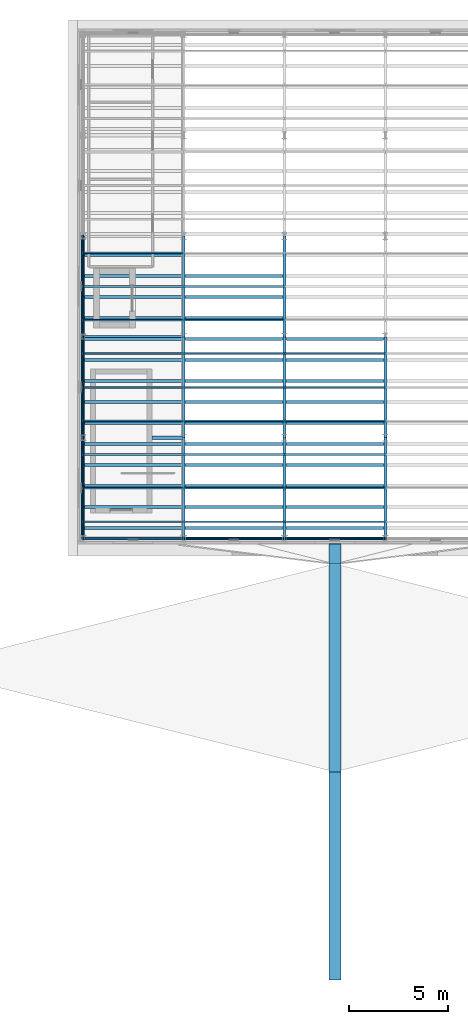
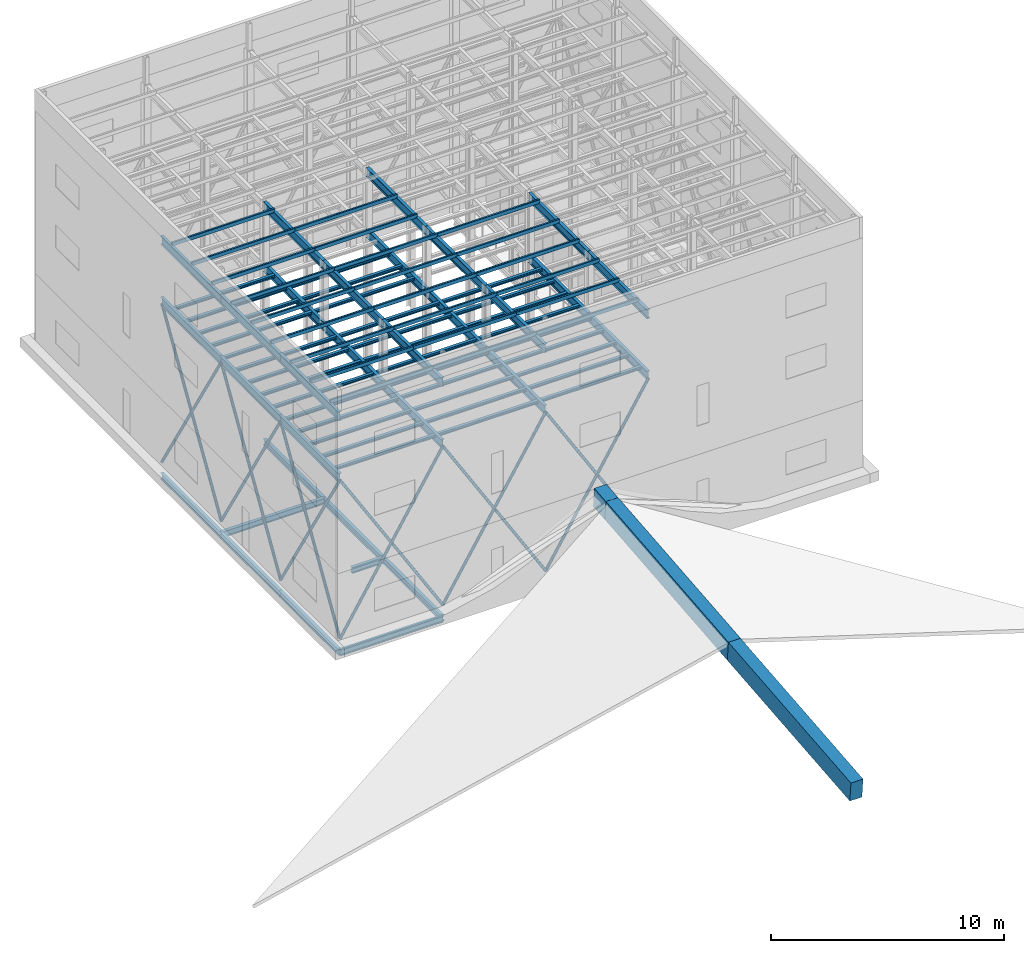
# One storey, part 3 of 22: 71 beams, 41 members.
"""IFC4 building model written with IfcOpenShell, lengths in metres."""

from ifc_helpers import new_model, si_unit, direction, frame, origin, origin_2d, place, context, subcontext, project, spatial, rectangle, hollow_rectangle, hollow_circle, i_section, extrude, material, material_profile, profile_set, type_object, element, save


model = new_model("IFC4")

# Units and contexts
model_context = context("Model", 3, precision=1e-05, world=origin(), true_north=direction((0.0, 1.0)))
body_context = subcontext(model_context, "Body", "Model", "MODEL_VIEW")
ifc_project = project(units=[si_unit("LENGTHUNIT", "METRE"), si_unit("AREAUNIT", "SQUARE_METRE"), si_unit("VOLUMEUNIT", "CUBIC_METRE"), si_unit("PLANEANGLEUNIT", "RADIAN"), si_unit("MASSUNIT", "GRAM", prefix="KILO")], contexts=[model_context])

# Site, building, storey
site_placement = place(None, origin())
site = spatial("IfcSite", under=ifc_project, at=site_placement, CompositionType="ELEMENT")
building_placement = place(site_placement, origin())
building = spatial("IfcBuilding", under=site, at=building_placement, Name="Tide Square Theatres", CompositionType="ELEMENT")
storey_placement = place(building_placement, frame((0.0, 0.0, 24.0)))
storey = spatial("IfcBuildingStorey", under=building, at=storey_placement, Name="L05", CompositionType="ELEMENT", Elevation=24.0)

# Beams
ifc_material_1 = material(Name="Concrete C40", Category="concrete")
ifc_material_profile_1 = material_profile(ifc_material_1, rectangle(XDim=0.60009765625, YDim=1.0, at=origin_2d()))
ifc_profile_set_1 = profile_set([ifc_material_profile_1], Name="Concrete C40")
beam_type_1 = type_object("IfcBeamType", Name="RC roof rib and ridge 600 x 1000", PredefinedType="BEAM", material=ifc_profile_set_1)
for number, where, z_axis, x_axis, name in (
    (1, (84.0, 34.04052734375, 1.46044921875), (0.0, 0.995518012141, 0.094572128577), (-1.0, 0.0, 0.0), "Ridge beam main"),
    (2, (84.0, 44.5439453125, 2.45849609375), (0.0, 0.995515833315, 0.094595061285), (-1.0, 0.0, 0.0), "Ridge beam main"),
):
    element("IfcBeam", number, at=place(storey_placement, frame(where, z_axis=z_axis, x_axis=x_axis)), inside=storey, type_object=beam_type_1, Name=name, PredefinedType="BEAM", context=body_context, shape_type="SweptSolid", body=[
        extrude(rectangle(XDim=0.60009765625, YDim=1.0, at=origin_2d()), origin(), (0.0, 0.0, 1.0), 10.55078125),
    ])
beam_1_placement = place(storey_placement, frame((84.0, 55.04736328125, 3.4482421875), z_axis=(0.0, 0.995520561602, 0.094545287711), x_axis=(-1.0, 0.0, 0.0)))
element("IfcBeam", 3, at=beam_1_placement, inside=storey, type_object=beam_type_1, Name="Ridge beam main", PredefinedType="BEAM", context=body_context, shape_type="SweptSolid", body=[
    extrude(rectangle(XDim=0.60009765625, YDim=1.0, at=origin_2d()), origin(), (0.0, 0.0, 1.0), 1.00439453125),
])
ifc_material_2 = material(Name="Steel ASTM A572 Grade 50", Category="steel")
ifc_material_profile_2 = material_profile(ifc_material_2, i_section(OverallWidth=0.1650390625, OverallDepth=0.31005859375, WebThickness=0.005859375, FlangeThickness=0.009765625, FilletRadius=0.010009765625, at=origin_2d()))
ifc_profile_set_2 = profile_set([ifc_material_profile_2], Name="Steel ASTM A572 Grade 50")
beam_type_2 = type_object("IfcBeamType", Name="Steel beam W 310 x 38.7", PredefinedType="BEAM", material=ifc_profile_set_2)
for number, where, z_axis, x_axis, name in (
    (4, (71.27587890625, 56.27587890625, -0.35498046875), (0.0, 1.0, 0.0), (-1.0, 0.0, 0.0), "Fly gallery beam"),
    (5, (71.27587890625, 61.365478515625, -0.35498046875), (0.0, 1.0, 0.0), (-1.0, 0.0, 0.0), "Fly gallery beam"),
):
    element("IfcBeam", number, at=place(storey_placement, frame(where, z_axis=z_axis, x_axis=x_axis)), inside=storey, type_object=beam_type_2, Name=name, PredefinedType="BEAM", context=body_context, shape_type="SweptSolid", body=[
        extrude(i_section(OverallWidth=0.1650390625, OverallDepth=0.31005859375, WebThickness=0.005859375, FlangeThickness=0.009765625, FilletRadius=0.010009765625, at=origin_2d()), origin(), (0.0, 0.0, 1.0), 5.089599609375),
    ])
beam_2_placement = place(storey_placement, frame((71.27587890625, 66.455078125, -0.35498046875), z_axis=(0.0, 1.0, 0.0), x_axis=(-1.0, 0.0, 0.0)))
element("IfcBeam", 6, at=beam_2_placement, inside=storey, type_object=beam_type_2, Name="Fly gallery beam", PredefinedType="BEAM", context=body_context, shape_type="SweptSolid", body=[
    extrude(i_section(OverallWidth=0.1650390625, OverallDepth=0.31005859375, WebThickness=0.005859375, FlangeThickness=0.009765625, FilletRadius=0.010009765625, at=origin_2d()), origin(), (0.0, 0.0, 1.0), 5.08984375),
])
for number, where, z_axis, x_axis, name in (
    (7, (76.365478515625, 56.27587890625, -0.35498046875), (0.0, 1.0, 0.0), (-1.0, 0.0, 0.0), "Fly gallery beam"),
    (8, (76.365478515625, 61.365478515625, -0.35498046875), (0.0, 1.0, 0.0), (-1.0, 0.0, 0.0), "Fly gallery beam"),
):
    element("IfcBeam", number, at=place(storey_placement, frame(where, z_axis=z_axis, x_axis=x_axis)), inside=storey, type_object=beam_type_2, Name=name, PredefinedType="BEAM", context=body_context, shape_type="SweptSolid", body=[
        extrude(i_section(OverallWidth=0.1650390625, OverallDepth=0.31005859375, WebThickness=0.005859375, FlangeThickness=0.009765625, FilletRadius=0.010009765625, at=origin_2d()), origin(), (0.0, 0.0, 1.0), 5.089599609375),
    ])
beam_3_placement = place(storey_placement, frame((76.365478515625, 66.455078125, -0.35498046875), z_axis=(0.0, 1.0, 0.0), x_axis=(-1.0, 0.0, 0.0)))
element("IfcBeam", 9, at=beam_3_placement, inside=storey, type_object=beam_type_2, Name="Fly gallery beam", PredefinedType="BEAM", context=body_context, shape_type="SweptSolid", body=[
    extrude(i_section(OverallWidth=0.1650390625, OverallDepth=0.31005859375, WebThickness=0.005859375, FlangeThickness=0.009765625, FilletRadius=0.010009765625, at=origin_2d()), origin(), (0.0, 0.0, 1.0), 5.08984375),
])
beam_4_placement = place(storey_placement, frame((71.27587890625, 56.27587890625, -0.35498046875), z_axis=(1.0, 0.0, 0.0), x_axis=(0.0, 1.0, 0.0)))
element("IfcBeam", 10, at=beam_4_placement, inside=storey, type_object=beam_type_2, Name="Fly gallery cross beam", PredefinedType="BEAM", context=body_context, shape_type="SweptSolid", body=[
    extrude(i_section(OverallWidth=0.1650390625, OverallDepth=0.31005859375, WebThickness=0.005859375, FlangeThickness=0.009765625, FilletRadius=0.010009765625, at=origin_2d()), origin(), (0.0, 0.0, 1.0), 5.089599609375),
])
beam_5_placement = place(storey_placement, frame((74.77587890625, 61.365478515625, -0.35498046875), z_axis=(1.0, 0.0, 0.0), x_axis=(0.0, 1.0, 0.0)))
element("IfcBeam", 11, at=beam_5_placement, inside=storey, type_object=beam_type_2, Name="Fly gallery cross beam", PredefinedType="BEAM", context=body_context, shape_type="SweptSolid", body=[
    extrude(i_section(OverallWidth=0.1650390625, OverallDepth=0.31005859375, WebThickness=0.005859375, FlangeThickness=0.009765625, FilletRadius=0.010009765625, at=origin_2d()), origin(), (0.0, 0.0, 1.0), 1.589599609375),
])
beam_6_placement = place(storey_placement, frame((71.27587890625, 66.455078125, -0.35498046875), z_axis=(1.0, 0.0, 0.0), x_axis=(0.0, 1.0, 0.0)))
element("IfcBeam", 12, at=beam_6_placement, inside=storey, type_object=beam_type_2, Name="Fly gallery cross beam", PredefinedType="BEAM", context=body_context, shape_type="SweptSolid", body=[
    extrude(i_section(OverallWidth=0.1650390625, OverallDepth=0.31005859375, WebThickness=0.005859375, FlangeThickness=0.009765625, FilletRadius=0.010009765625, at=origin_2d()), origin(), (0.0, 0.0, 1.0), 5.089599609375),
])
ifc_material_3 = material(Name="Steel ASTM A572 Grade 50", Category="steel")
ifc_material_profile_3 = material_profile(ifc_material_3, i_section(OverallWidth=0.152099609375, OverallDepth=0.449951171875, WebThickness=0.007568359375, FlangeThickness=0.0107421875, FilletRadius=0.011962890625, at=origin_2d()))
ifc_profile_set_3 = profile_set([ifc_material_profile_3], Name="Steel ASTM A572 Grade 50")
beam_type_3 = type_object("IfcBeamType", Name="Steel beam W 460 x 52.0", PredefinedType="BEAM", material=ifc_profile_set_3)
for number, where, z_axis, x_axis, name in (
    (13, (71.27587890625, 56.27587890625, 8.77490234375), (0.0, 1.0, 0.0), (-1.0, 0.0, 0.0), "Gridiron beam"),
    (14, (71.27587890625, 61.365478515625, 8.77490234375), (0.0, 1.0, 0.0), (-1.0, 0.0, 0.0), "Gridiron beam"),
):
    element("IfcBeam", number, at=place(storey_placement, frame(where, z_axis=z_axis, x_axis=x_axis)), inside=storey, type_object=beam_type_3, Name=name, PredefinedType="BEAM", context=body_context, shape_type="SweptSolid", body=[
        extrude(i_section(OverallWidth=0.152099609375, OverallDepth=0.449951171875, WebThickness=0.007568359375, FlangeThickness=0.0107421875, FilletRadius=0.011962890625, at=origin_2d()), origin(), (0.0, 0.0, 1.0), 5.089599609375),
    ])
beam_7_placement = place(storey_placement, frame((71.27587890625, 66.455078125, 8.77490234375), z_axis=(0.0, 1.0, 0.0), x_axis=(-1.0, 0.0, 0.0)))
element("IfcBeam", 15, at=beam_7_placement, inside=storey, type_object=beam_type_3, Name="Gridiron beam", PredefinedType="BEAM", context=body_context, shape_type="SweptSolid", body=[
    extrude(i_section(OverallWidth=0.152099609375, OverallDepth=0.449951171875, WebThickness=0.007568359375, FlangeThickness=0.0107421875, FilletRadius=0.011962890625, at=origin_2d()), origin(), (0.0, 0.0, 1.0), 5.08984375),
])
for number, where, z_axis, x_axis, name in (
    (16, (76.365478515625, 56.27587890625, 8.77490234375), (0.0, 1.0, 0.0), (-1.0, 0.0, 0.0), "Gridiron beam"),
    (17, (76.365478515625, 61.365478515625, 8.77490234375), (0.0, 1.0, 0.0), (-1.0, 0.0, 0.0), "Gridiron beam"),
):
    element("IfcBeam", number, at=place(storey_placement, frame(where, z_axis=z_axis, x_axis=x_axis)), inside=storey, type_object=beam_type_3, Name=name, PredefinedType="BEAM", context=body_context, shape_type="SweptSolid", body=[
        extrude(i_section(OverallWidth=0.152099609375, OverallDepth=0.449951171875, WebThickness=0.007568359375, FlangeThickness=0.0107421875, FilletRadius=0.011962890625, at=origin_2d()), origin(), (0.0, 0.0, 1.0), 5.089599609375),
    ])
beam_8_placement = place(storey_placement, frame((76.365478515625, 66.455078125, 8.77490234375), z_axis=(0.0, 1.0, 0.0), x_axis=(-1.0, 0.0, 0.0)))
element("IfcBeam", 18, at=beam_8_placement, inside=storey, type_object=beam_type_3, Name="Gridiron beam", PredefinedType="BEAM", context=body_context, shape_type="SweptSolid", body=[
    extrude(i_section(OverallWidth=0.152099609375, OverallDepth=0.449951171875, WebThickness=0.007568359375, FlangeThickness=0.0107421875, FilletRadius=0.011962890625, at=origin_2d()), origin(), (0.0, 0.0, 1.0), 5.08984375),
])
for number, where, z_axis, x_axis, name in (
    (19, (81.455078125, 56.27587890625, 8.77490234375), (0.0, 1.0, 0.0), (-1.0, 0.0, 0.0), "Gridiron beam"),
    (20, (81.455078125, 61.365478515625, 8.77490234375), (0.0, 1.0, 0.0), (-1.0, 0.0, 0.0), "Gridiron beam"),
):
    element("IfcBeam", number, at=place(storey_placement, frame(where, z_axis=z_axis, x_axis=x_axis)), inside=storey, type_object=beam_type_3, Name=name, PredefinedType="BEAM", context=body_context, shape_type="SweptSolid", body=[
        extrude(i_section(OverallWidth=0.152099609375, OverallDepth=0.449951171875, WebThickness=0.007568359375, FlangeThickness=0.0107421875, FilletRadius=0.011962890625, at=origin_2d()), origin(), (0.0, 0.0, 1.0), 5.089599609375),
    ])
beam_9_placement = place(storey_placement, frame((81.455078125, 66.455078125, 8.77490234375), z_axis=(0.0, 1.0, 0.0), x_axis=(-1.0, 0.0, 0.0)))
element("IfcBeam", 21, at=beam_9_placement, inside=storey, type_object=beam_type_3, Name="Gridiron beam", PredefinedType="BEAM", context=body_context, shape_type="SweptSolid", body=[
    extrude(i_section(OverallWidth=0.152099609375, OverallDepth=0.449951171875, WebThickness=0.007568359375, FlangeThickness=0.0107421875, FilletRadius=0.011962890625, at=origin_2d()), origin(), (0.0, 0.0, 1.0), 5.08984375),
])
for number, where, z_axis, x_axis, name in (
    (22, (86.544921875, 56.27587890625, 8.77490234375), (0.0, 1.0, 0.0), (-1.0, 0.0, 0.0), "Gridiron beam"),
    (23, (86.544921875, 61.365478515625, 8.77490234375), (0.0, 1.0, 0.0), (-1.0, 0.0, 0.0), "Gridiron beam"),
    (24, (71.27587890625, 56.27587890625, 11.985107421875), (0.0, 1.0, 0.0), (-1.0, 0.0, 0.0), "Tower roof beam"),
    (25, (71.27587890625, 61.365478515625, 11.985107421875), (0.0, 1.0, 0.0), (-1.0, 0.0, 0.0), "Tower roof beam"),
):
    element("IfcBeam", number, at=place(storey_placement, frame(where, z_axis=z_axis, x_axis=x_axis)), inside=storey, type_object=beam_type_3, Name=name, PredefinedType="BEAM", context=body_context, shape_type="SweptSolid", body=[
        extrude(i_section(OverallWidth=0.152099609375, OverallDepth=0.449951171875, WebThickness=0.007568359375, FlangeThickness=0.0107421875, FilletRadius=0.011962890625, at=origin_2d()), origin(), (0.0, 0.0, 1.0), 5.089599609375),
    ])
beam_10_placement = place(storey_placement, frame((71.27587890625, 66.455078125, 11.985107421875), z_axis=(0.0, 1.0, 0.0), x_axis=(-1.0, 0.0, 0.0)))
element("IfcBeam", 26, at=beam_10_placement, inside=storey, type_object=beam_type_3, Name="Tower roof beam", PredefinedType="BEAM", context=body_context, shape_type="SweptSolid", body=[
    extrude(i_section(OverallWidth=0.152099609375, OverallDepth=0.449951171875, WebThickness=0.007568359375, FlangeThickness=0.0107421875, FilletRadius=0.011962890625, at=origin_2d()), origin(), (0.0, 0.0, 1.0), 5.08984375),
])
for number, where, z_axis, x_axis, name in (
    (27, (76.365478515625, 56.27587890625, 11.985107421875), (0.0, 1.0, 0.0), (-1.0, 0.0, 0.0), "Tower roof beam"),
    (28, (76.365478515625, 61.365478515625, 11.985107421875), (0.0, 1.0, 0.0), (-1.0, 0.0, 0.0), "Tower roof beam"),
):
    element("IfcBeam", number, at=place(storey_placement, frame(where, z_axis=z_axis, x_axis=x_axis)), inside=storey, type_object=beam_type_3, Name=name, PredefinedType="BEAM", context=body_context, shape_type="SweptSolid", body=[
        extrude(i_section(OverallWidth=0.152099609375, OverallDepth=0.449951171875, WebThickness=0.007568359375, FlangeThickness=0.0107421875, FilletRadius=0.011962890625, at=origin_2d()), origin(), (0.0, 0.0, 1.0), 5.089599609375),
    ])
beam_11_placement = place(storey_placement, frame((76.365478515625, 66.455078125, 11.985107421875), z_axis=(0.0, 1.0, 0.0), x_axis=(-1.0, 0.0, 0.0)))
element("IfcBeam", 29, at=beam_11_placement, inside=storey, type_object=beam_type_3, Name="Tower roof beam", PredefinedType="BEAM", context=body_context, shape_type="SweptSolid", body=[
    extrude(i_section(OverallWidth=0.152099609375, OverallDepth=0.449951171875, WebThickness=0.007568359375, FlangeThickness=0.0107421875, FilletRadius=0.011962890625, at=origin_2d()), origin(), (0.0, 0.0, 1.0), 5.08984375),
])
for number, where, z_axis, x_axis, name in (
    (30, (81.455078125, 56.27587890625, 11.985107421875), (0.0, 1.0, 0.0), (-1.0, 0.0, 0.0), "Tower roof beam"),
    (31, (81.455078125, 61.365478515625, 11.985107421875), (0.0, 1.0, 0.0), (-1.0, 0.0, 0.0), "Tower roof beam"),
):
    element("IfcBeam", number, at=place(storey_placement, frame(where, z_axis=z_axis, x_axis=x_axis)), inside=storey, type_object=beam_type_3, Name=name, PredefinedType="BEAM", context=body_context, shape_type="SweptSolid", body=[
        extrude(i_section(OverallWidth=0.152099609375, OverallDepth=0.449951171875, WebThickness=0.007568359375, FlangeThickness=0.0107421875, FilletRadius=0.011962890625, at=origin_2d()), origin(), (0.0, 0.0, 1.0), 5.089599609375),
    ])
beam_12_placement = place(storey_placement, frame((81.455078125, 66.455078125, 11.985107421875), z_axis=(0.0, 1.0, 0.0), x_axis=(-1.0, 0.0, 0.0)))
element("IfcBeam", 32, at=beam_12_placement, inside=storey, type_object=beam_type_3, Name="Tower roof beam", PredefinedType="BEAM", context=body_context, shape_type="SweptSolid", body=[
    extrude(i_section(OverallWidth=0.152099609375, OverallDepth=0.449951171875, WebThickness=0.007568359375, FlangeThickness=0.0107421875, FilletRadius=0.011962890625, at=origin_2d()), origin(), (0.0, 0.0, 1.0), 5.08984375),
])
for number, where, z_axis, x_axis, name in (
    (33, (86.544921875, 56.27587890625, 11.985107421875), (0.0, 1.0, 0.0), (-1.0, 0.0, 0.0), "Tower roof beam"),
    (34, (86.544921875, 61.365478515625, 11.985107421875), (0.0, 1.0, 0.0), (-1.0, 0.0, 0.0), "Tower roof beam"),
):
    element("IfcBeam", number, at=place(storey_placement, frame(where, z_axis=z_axis, x_axis=x_axis)), inside=storey, type_object=beam_type_3, Name=name, PredefinedType="BEAM", context=body_context, shape_type="SweptSolid", body=[
        extrude(i_section(OverallWidth=0.152099609375, OverallDepth=0.449951171875, WebThickness=0.007568359375, FlangeThickness=0.0107421875, FilletRadius=0.011962890625, at=origin_2d()), origin(), (0.0, 0.0, 1.0), 5.089599609375),
    ])

# Members
ifc_material_4 = material(Name="Steel ASTM A500 Grade C", Category="steel")
ifc_material_profile_4 = material_profile(ifc_material_4, hollow_circle(Radius=0.070556640625, WallThickness=0.00634765625, at=origin_2d()))
ifc_profile_set_4 = profile_set([ifc_material_profile_4], Name="Steel ASTM A500 Grade C")
member_type_1 = type_object("IfcMemberType", Name="Steel brace CHS 141.3 x 6.4", PredefinedType="BRACE", material=ifc_profile_set_4)
member_1_placement = place(storey_placement, frame((71.27587890625, 56.27587890625, 0.35009765625), z_axis=(0.522757852617, 0.0, 0.852481218284), x_axis=(0.0, 1.0, 0.0)))
element("IfcMember", 35, at=member_1_placement, inside=storey, type_object=member_type_1, Name="Fly tower brace", PredefinedType="BRACE", context=body_context, shape_type="SweptSolid", body=[
    extrude(hollow_circle(Radius=0.070556640625, WallThickness=0.00634765625, at=origin_2d()), origin(), (0.0, 0.0, 1.0), 9.736083984375),
])
member_2_placement = place(storey_placement, frame((76.365478515625, 56.27587890625, 0.35009765625), z_axis=(-0.522724280464, 0.0, 0.852501804463), x_axis=(0.0, -1.0, 0.0)))
element("IfcMember", 36, at=member_2_placement, inside=storey, type_object=member_type_1, Name="Fly tower brace", PredefinedType="BRACE", context=body_context, shape_type="SweptSolid", body=[
    extrude(hollow_circle(Radius=0.070556640625, WallThickness=0.00634765625, at=origin_2d()), origin(), (0.0, 0.0, 1.0), 4.763916015625),
])
member_3_placement = place(storey_placement, frame((73.766357421875, 56.27587890625, 4.588623046875), z_axis=(-0.522761523551, 0.0, 0.852478967186), x_axis=(0.0, -1.0, 0.0)))
element("IfcMember", 37, at=member_3_placement, inside=storey, type_object=member_type_1, Name="Fly tower brace", PredefinedType="BRACE", context=body_context, shape_type="SweptSolid", body=[
    extrude(hollow_circle(Radius=0.070556640625, WallThickness=0.00634765625, at=origin_2d()), origin(), (0.0, 0.0, 1.0), 4.76416015625),
])
member_4_placement = place(storey_placement, frame((76.365478515625, 56.27587890625, 0.35009765625), z_axis=(0.522757852617, 0.0, 0.852481218284), x_axis=(0.0, 1.0, 0.0)))
element("IfcMember", 38, at=member_4_placement, inside=storey, type_object=member_type_1, Name="Fly tower brace", PredefinedType="BRACE", context=body_context, shape_type="SweptSolid", body=[
    extrude(hollow_circle(Radius=0.070556640625, WallThickness=0.00634765625, at=origin_2d()), origin(), (0.0, 0.0, 1.0), 9.736083984375),
])
member_5_placement = place(storey_placement, frame((81.455078125, 56.27587890625, 0.35009765625), z_axis=(-0.522724280464, 0.0, 0.852501804463), x_axis=(0.0, -1.0, 0.0)))
element("IfcMember", 39, at=member_5_placement, inside=storey, type_object=member_type_1, Name="Fly tower brace", PredefinedType="BRACE", context=body_context, shape_type="SweptSolid", body=[
    extrude(hollow_circle(Radius=0.070556640625, WallThickness=0.00634765625, at=origin_2d()), origin(), (0.0, 0.0, 1.0), 4.763916015625),
])
member_6_placement = place(storey_placement, frame((78.85595703125, 56.27587890625, 4.588623046875), z_axis=(-0.522761523551, 0.0, 0.852478967186), x_axis=(0.0, -1.0, 0.0)))
element("IfcMember", 40, at=member_6_placement, inside=storey, type_object=member_type_1, Name="Fly tower brace", PredefinedType="BRACE", context=body_context, shape_type="SweptSolid", body=[
    extrude(hollow_circle(Radius=0.070556640625, WallThickness=0.00634765625, at=origin_2d()), origin(), (0.0, 0.0, 1.0), 4.76416015625),
])
member_7_placement = place(storey_placement, frame((81.455078125, 56.27587890625, 0.35009765625), z_axis=(0.522776075542, 0.0, 0.852470043368), x_axis=(0.0, 1.0, 0.0)))
element("IfcMember", 41, at=member_7_placement, inside=storey, type_object=member_type_1, Name="Fly tower brace", PredefinedType="BRACE", context=body_context, shape_type="SweptSolid", body=[
    extrude(hollow_circle(Radius=0.070556640625, WallThickness=0.00634765625, at=origin_2d()), origin(), (0.0, 0.0, 1.0), 9.736083984375),
])
for number, where, z_axis, x_axis, name in (
    (42, (86.544921875, 56.27587890625, 0.35009765625), (-0.522761523551, 0.0, 0.852478967186), (0.0, -1.0, 0.0), "Fly tower brace"),
    (43, (83.945556640625, 56.27587890625, 4.588623046875), (-0.522761523551, 0.0, 0.852478967186), (0.0, -1.0, 0.0), "Fly tower brace"),
):
    element("IfcMember", number, at=place(storey_placement, frame(where, z_axis=z_axis, x_axis=x_axis)), inside=storey, type_object=member_type_1, Name=name, PredefinedType="BRACE", context=body_context, shape_type="SweptSolid", body=[
        extrude(hollow_circle(Radius=0.070556640625, WallThickness=0.00634765625, at=origin_2d()), origin(), (0.0, 0.0, 1.0), 4.76416015625),
    ])
member_8_placement = place(storey_placement, frame((71.27587890625, 56.27587890625, 0.35009765625), z_axis=(0.0, 0.522757852617, 0.852481218284), x_axis=(-1.0, 0.0, 0.0)))
element("IfcMember", 44, at=member_8_placement, inside=storey, type_object=member_type_1, Name="Fly tower brace", PredefinedType="BRACE", context=body_context, shape_type="SweptSolid", body=[
    extrude(hollow_circle(Radius=0.070556640625, WallThickness=0.00634765625, at=origin_2d()), origin(), (0.0, 0.0, 1.0), 9.736083984375),
])
member_9_placement = place(storey_placement, frame((71.27587890625, 61.365478515625, 0.35009765625), z_axis=(0.0, -0.522724280464, 0.852501804463), x_axis=(1.0, 0.0, 0.0)))
element("IfcMember", 45, at=member_9_placement, inside=storey, type_object=member_type_1, Name="Fly tower brace", PredefinedType="BRACE", context=body_context, shape_type="SweptSolid", body=[
    extrude(hollow_circle(Radius=0.070556640625, WallThickness=0.00634765625, at=origin_2d()), origin(), (0.0, 0.0, 1.0), 4.763916015625),
])
member_10_placement = place(storey_placement, frame((71.27587890625, 58.766357421875, 4.588623046875), z_axis=(0.0, -0.522761523551, 0.852478967186), x_axis=(1.0, 0.0, 0.0)))
element("IfcMember", 46, at=member_10_placement, inside=storey, type_object=member_type_1, Name="Fly tower brace", PredefinedType="BRACE", context=body_context, shape_type="SweptSolid", body=[
    extrude(hollow_circle(Radius=0.070556640625, WallThickness=0.00634765625, at=origin_2d()), origin(), (0.0, 0.0, 1.0), 4.76416015625),
])
member_11_placement = place(storey_placement, frame((71.27587890625, 61.365478515625, 0.35009765625), z_axis=(0.0, 0.522757852617, 0.852481218284), x_axis=(-1.0, 0.0, 0.0)))
element("IfcMember", 47, at=member_11_placement, inside=storey, type_object=member_type_1, Name="Fly tower brace", PredefinedType="BRACE", context=body_context, shape_type="SweptSolid", body=[
    extrude(hollow_circle(Radius=0.070556640625, WallThickness=0.00634765625, at=origin_2d()), origin(), (0.0, 0.0, 1.0), 9.736083984375),
])
member_12_placement = place(storey_placement, frame((71.27587890625, 66.455078125, 0.35009765625), z_axis=(0.0, -0.522724280464, 0.852501804463), x_axis=(1.0, 0.0, 0.0)))
element("IfcMember", 48, at=member_12_placement, inside=storey, type_object=member_type_1, Name="Fly tower brace", PredefinedType="BRACE", context=body_context, shape_type="SweptSolid", body=[
    extrude(hollow_circle(Radius=0.070556640625, WallThickness=0.00634765625, at=origin_2d()), origin(), (0.0, 0.0, 1.0), 4.763916015625),
])
member_13_placement = place(storey_placement, frame((71.27587890625, 63.85595703125, 4.588623046875), z_axis=(0.0, -0.522761523551, 0.852478967186), x_axis=(1.0, 0.0, 0.0)))
element("IfcMember", 49, at=member_13_placement, inside=storey, type_object=member_type_1, Name="Fly tower brace", PredefinedType="BRACE", context=body_context, shape_type="SweptSolid", body=[
    extrude(hollow_circle(Radius=0.070556640625, WallThickness=0.00634765625, at=origin_2d()), origin(), (0.0, 0.0, 1.0), 4.76416015625),
])
member_14_placement = place(storey_placement, frame((71.27587890625, 66.455078125, 0.35009765625), z_axis=(0.0, 0.522776075542, 0.852470043368), x_axis=(-1.0, 0.0, 0.0)))
element("IfcMember", 50, at=member_14_placement, inside=storey, type_object=member_type_1, Name="Fly tower brace", PredefinedType="BRACE", context=body_context, shape_type="SweptSolid", body=[
    extrude(hollow_circle(Radius=0.070556640625, WallThickness=0.00634765625, at=origin_2d()), origin(), (0.0, 0.0, 1.0), 9.736083984375),
])
for number, where, z_axis, x_axis, name in (
    (51, (71.27587890625, 71.544921875, 0.35009765625), (0.0, -0.522761523551, 0.852478967186), (1.0, 0.0, 0.0), "Fly tower brace"),
    (52, (71.27587890625, 68.945556640625, 4.588623046875), (0.0, -0.522761523551, 0.852478967186), (1.0, 0.0, 0.0), "Fly tower brace"),
):
    element("IfcMember", number, at=place(storey_placement, frame(where, z_axis=z_axis, x_axis=x_axis)), inside=storey, type_object=member_type_1, Name=name, PredefinedType="BRACE", context=body_context, shape_type="SweptSolid", body=[
        extrude(hollow_circle(Radius=0.070556640625, WallThickness=0.00634765625, at=origin_2d()), origin(), (0.0, 0.0, 1.0), 4.76416015625),
    ])

# Beams
ifc_material_5 = material(Name="Steel ASTM A572 Grade 50", Category="steel")
ifc_material_profile_5 = material_profile(ifc_material_5, i_section(OverallWidth=0.152099609375, OverallDepth=0.152099609375, WebThickness=0.005859375, FlangeThickness=0.006591796875, FilletRadius=0.010009765625, at=origin_2d()))
ifc_profile_set_5 = profile_set([ifc_material_profile_5], Name="Steel ASTM A572 Grade 50")
beam_type_4 = type_object("IfcBeamType", Name="Steel joist W 150 x 22.5", PredefinedType="JOIST", material=ifc_profile_set_5)
for number, where, z_axis, x_axis, name in (
    (53, (71.35205078125, 56.80615234375, 8.924072265625), (1.0, 0.0, 0.0), (0.0, 1.0, 0.0), "Gridiron joist"),
    (54, (71.35205078125, 57.866455078125, 8.924072265625), (1.0, 0.0, 0.0), (0.0, 1.0, 0.0), "Gridiron joist"),
    (55, (71.35205078125, 58.9267578125, 8.924072265625), (1.0, 0.0, 0.0), (0.0, 1.0, 0.0), "Gridiron joist"),
    (56, (71.35205078125, 59.9873046875, 8.924072265625), (1.0, 0.0, 0.0), (0.0, 1.0, 0.0), "Gridiron joist"),
    (57, (71.35205078125, 61.047607421875, 8.924072265625), (1.0, 0.0, 0.0), (0.0, 1.0, 0.0), "Gridiron joist"),
    (58, (71.35205078125, 62.10791015625, 8.924072265625), (1.0, 0.0, 0.0), (0.0, 1.0, 0.0), "Gridiron joist"),
    (59, (71.35205078125, 63.168212890625, 8.924072265625), (1.0, 0.0, 0.0), (0.0, 1.0, 0.0), "Gridiron joist"),
    (60, (71.35205078125, 64.228515625, 8.924072265625), (1.0, 0.0, 0.0), (0.0, 1.0, 0.0), "Gridiron joist"),
    (61, (71.35205078125, 65.288818359375, 8.924072265625), (1.0, 0.0, 0.0), (0.0, 1.0, 0.0), "Gridiron joist"),
    (62, (71.35205078125, 66.34912109375, 8.924072265625), (1.0, 0.0, 0.0), (0.0, 1.0, 0.0), "Gridiron joist"),
    (63, (71.35205078125, 67.409423828125, 8.924072265625), (1.0, 0.0, 0.0), (0.0, 1.0, 0.0), "Gridiron joist"),
    (64, (71.35205078125, 68.4697265625, 8.924072265625), (1.0, 0.0, 0.0), (0.0, 1.0, 0.0), "Gridiron joist"),
    (65, (71.35205078125, 69.5302734375, 8.924072265625), (1.0, 0.0, 0.0), (0.0, 1.0, 0.0), "Gridiron joist"),
    (66, (71.35205078125, 70.590576171875, 8.924072265625), (1.0, 0.0, 0.0), (0.0, 1.0, 0.0), "Gridiron joist"),
    (67, (76.441650390625, 56.80615234375, 8.924072265625), (1.0, 0.0, 0.0), (0.0, 1.0, 0.0), "Gridiron joist"),
    (68, (76.441650390625, 57.866455078125, 8.924072265625), (1.0, 0.0, 0.0), (0.0, 1.0, 0.0), "Gridiron joist"),
    (69, (76.441650390625, 58.9267578125, 8.924072265625), (1.0, 0.0, 0.0), (0.0, 1.0, 0.0), "Gridiron joist"),
    (70, (76.441650390625, 59.9873046875, 8.924072265625), (1.0, 0.0, 0.0), (0.0, 1.0, 0.0), "Gridiron joist"),
    (71, (76.441650390625, 61.047607421875, 8.924072265625), (1.0, 0.0, 0.0), (0.0, 1.0, 0.0), "Gridiron joist"),
    (72, (76.441650390625, 62.10791015625, 8.924072265625), (1.0, 0.0, 0.0), (0.0, 1.0, 0.0), "Gridiron joist"),
    (73, (76.441650390625, 63.168212890625, 8.924072265625), (1.0, 0.0, 0.0), (0.0, 1.0, 0.0), "Gridiron joist"),
    (74, (76.441650390625, 64.228515625, 8.924072265625), (1.0, 0.0, 0.0), (0.0, 1.0, 0.0), "Gridiron joist"),
    (75, (76.441650390625, 65.288818359375, 8.924072265625), (1.0, 0.0, 0.0), (0.0, 1.0, 0.0), "Gridiron joist"),
    (76, (76.441650390625, 66.34912109375, 8.924072265625), (1.0, 0.0, 0.0), (0.0, 1.0, 0.0), "Gridiron joist"),
    (77, (76.441650390625, 67.409423828125, 8.924072265625), (1.0, 0.0, 0.0), (0.0, 1.0, 0.0), "Gridiron joist"),
    (78, (76.441650390625, 68.4697265625, 8.924072265625), (1.0, 0.0, 0.0), (0.0, 1.0, 0.0), "Gridiron joist"),
    (79, (76.441650390625, 69.5302734375, 8.924072265625), (1.0, 0.0, 0.0), (0.0, 1.0, 0.0), "Gridiron joist"),
    (80, (81.53125, 56.80615234375, 8.924072265625), (1.0, 0.0, 0.0), (0.0, 1.0, 0.0), "Gridiron joist"),
    (81, (81.53125, 57.866455078125, 8.924072265625), (1.0, 0.0, 0.0), (0.0, 1.0, 0.0), "Gridiron joist"),
    (82, (81.53125, 58.9267578125, 8.924072265625), (1.0, 0.0, 0.0), (0.0, 1.0, 0.0), "Gridiron joist"),
    (83, (81.53125, 59.9873046875, 8.924072265625), (1.0, 0.0, 0.0), (0.0, 1.0, 0.0), "Gridiron joist"),
    (84, (81.53125, 61.047607421875, 8.924072265625), (1.0, 0.0, 0.0), (0.0, 1.0, 0.0), "Gridiron joist"),
    (85, (81.53125, 62.10791015625, 8.924072265625), (1.0, 0.0, 0.0), (0.0, 1.0, 0.0), "Gridiron joist"),
    (86, (81.53125, 63.168212890625, 8.924072265625), (1.0, 0.0, 0.0), (0.0, 1.0, 0.0), "Gridiron joist"),
    (87, (81.53125, 64.228515625, 8.924072265625), (1.0, 0.0, 0.0), (0.0, 1.0, 0.0), "Gridiron joist"),
    (88, (81.53125, 65.288818359375, 8.924072265625), (1.0, 0.0, 0.0), (0.0, 1.0, 0.0), "Gridiron joist"),
    (89, (81.53125, 66.34912109375, 8.924072265625), (1.0, 0.0, 0.0), (0.0, 1.0, 0.0), "Gridiron joist"),
):
    element("IfcBeam", number, at=place(storey_placement, frame(where, z_axis=z_axis, x_axis=x_axis)), inside=storey, type_object=beam_type_4, Name=name, PredefinedType="JOIST", context=body_context, shape_type="SweptSolid", body=[
        extrude(i_section(OverallWidth=0.152099609375, OverallDepth=0.152099609375, WebThickness=0.005859375, FlangeThickness=0.006591796875, FilletRadius=0.010009765625, at=origin_2d()), origin(), (0.0, 0.0, 1.0), 4.9375),
    ])

# Members
ifc_material_6 = material(Name="Steel ASTM A500 Grade C", Category="steel")
ifc_material_profile_6 = material_profile(ifc_material_6, hollow_rectangle(XDim=0.10009765625, YDim=0.199951171875, WallThickness=0.008056640625, InnerFilletRadius=0.008056640625, OuterFilletRadius=0.01611328125, at=origin_2d()))
ifc_profile_set_6 = profile_set([ifc_material_profile_6], Name="Steel ASTM A500 Grade C")
member_type_2 = type_object("IfcMemberType", Name="Steel purlin RHS 200 x 100 x 8.0", PredefinedType="PURLIN", material=ifc_profile_set_6)
for number, where, z_axis, x_axis, name in (
    (90, (71.27587890625, 57.124267578125, 12.260009765625), (1.0, 0.0, 0.0), (0.0, 1.0, 0.0), "Tower roof purlin"),
    (91, (71.27587890625, 58.82080078125, 12.260009765625), (1.0, 0.0, 0.0), (0.0, 1.0, 0.0), "Tower roof purlin"),
    (92, (71.27587890625, 60.517333984375, 12.260009765625), (1.0, 0.0, 0.0), (0.0, 1.0, 0.0), "Tower roof purlin"),
    (93, (71.27587890625, 62.2138671875, 12.260009765625), (1.0, 0.0, 0.0), (0.0, 1.0, 0.0), "Tower roof purlin"),
    (94, (71.27587890625, 63.910400390625, 12.260009765625), (1.0, 0.0, 0.0), (0.0, 1.0, 0.0), "Tower roof purlin"),
    (95, (71.27587890625, 65.60693359375, 12.260009765625), (1.0, 0.0, 0.0), (0.0, 1.0, 0.0), "Tower roof purlin"),
    (96, (71.27587890625, 67.303466796875, 12.260009765625), (1.0, 0.0, 0.0), (0.0, 1.0, 0.0), "Tower roof purlin"),
    (97, (71.27587890625, 69.0, 12.260009765625), (1.0, 0.0, 0.0), (0.0, 1.0, 0.0), "Tower roof purlin"),
    (98, (71.27587890625, 70.696533203125, 12.260009765625), (1.0, 0.0, 0.0), (0.0, 1.0, 0.0), "Tower roof purlin"),
    (99, (76.365478515625, 57.124267578125, 12.260009765625), (1.0, 0.0, 0.0), (0.0, 1.0, 0.0), "Tower roof purlin"),
    (100, (76.365478515625, 58.82080078125, 12.260009765625), (1.0, 0.0, 0.0), (0.0, 1.0, 0.0), "Tower roof purlin"),
    (101, (76.365478515625, 60.517333984375, 12.260009765625), (1.0, 0.0, 0.0), (0.0, 1.0, 0.0), "Tower roof purlin"),
    (102, (76.365478515625, 62.2138671875, 12.260009765625), (1.0, 0.0, 0.0), (0.0, 1.0, 0.0), "Tower roof purlin"),
    (103, (76.365478515625, 63.910400390625, 12.260009765625), (1.0, 0.0, 0.0), (0.0, 1.0, 0.0), "Tower roof purlin"),
    (104, (76.365478515625, 65.60693359375, 12.260009765625), (1.0, 0.0, 0.0), (0.0, 1.0, 0.0), "Tower roof purlin"),
    (105, (76.365478515625, 67.303466796875, 12.260009765625), (1.0, 0.0, 0.0), (0.0, 1.0, 0.0), "Tower roof purlin"),
    (106, (76.365478515625, 69.0, 12.260009765625), (1.0, 0.0, 0.0), (0.0, 1.0, 0.0), "Tower roof purlin"),
):
    element("IfcMember", number, at=place(storey_placement, frame(where, z_axis=z_axis, x_axis=x_axis)), inside=storey, type_object=member_type_2, Name=name, PredefinedType="PURLIN", context=body_context, shape_type="SweptSolid", body=[
        extrude(hollow_rectangle(XDim=0.10009765625, YDim=0.199951171875, WallThickness=0.008056640625, InnerFilletRadius=0.008056640625, OuterFilletRadius=0.01611328125, at=origin_2d()), origin(), (0.0, 0.0, 1.0), 5.089599609375),
    ])
for number, where, z_axis, x_axis, name in (
    (107, (81.455078125, 57.124267578125, 12.260009765625), (1.0, 0.0, 0.0), (0.0, 1.0, 0.0), "Tower roof purlin"),
    (108, (81.455078125, 58.82080078125, 12.260009765625), (1.0, 0.0, 0.0), (0.0, 1.0, 0.0), "Tower roof purlin"),
    (109, (81.455078125, 60.517333984375, 12.260009765625), (1.0, 0.0, 0.0), (0.0, 1.0, 0.0), "Tower roof purlin"),
    (110, (81.455078125, 62.2138671875, 12.260009765625), (1.0, 0.0, 0.0), (0.0, 1.0, 0.0), "Tower roof purlin"),
    (111, (81.455078125, 63.910400390625, 12.260009765625), (1.0, 0.0, 0.0), (0.0, 1.0, 0.0), "Tower roof purlin"),
    (112, (81.455078125, 65.60693359375, 12.260009765625), (1.0, 0.0, 0.0), (0.0, 1.0, 0.0), "Tower roof purlin"),
):
    element("IfcMember", number, at=place(storey_placement, frame(where, z_axis=z_axis, x_axis=x_axis)), inside=storey, type_object=member_type_2, Name=name, PredefinedType="PURLIN", context=body_context, shape_type="SweptSolid", body=[
        extrude(hollow_rectangle(XDim=0.10009765625, YDim=0.199951171875, WallThickness=0.008056640625, InnerFilletRadius=0.008056640625, OuterFilletRadius=0.01611328125, at=origin_2d()), origin(), (0.0, 0.0, 1.0), 5.08984375),
    ])

save(model, "model.ifc")
